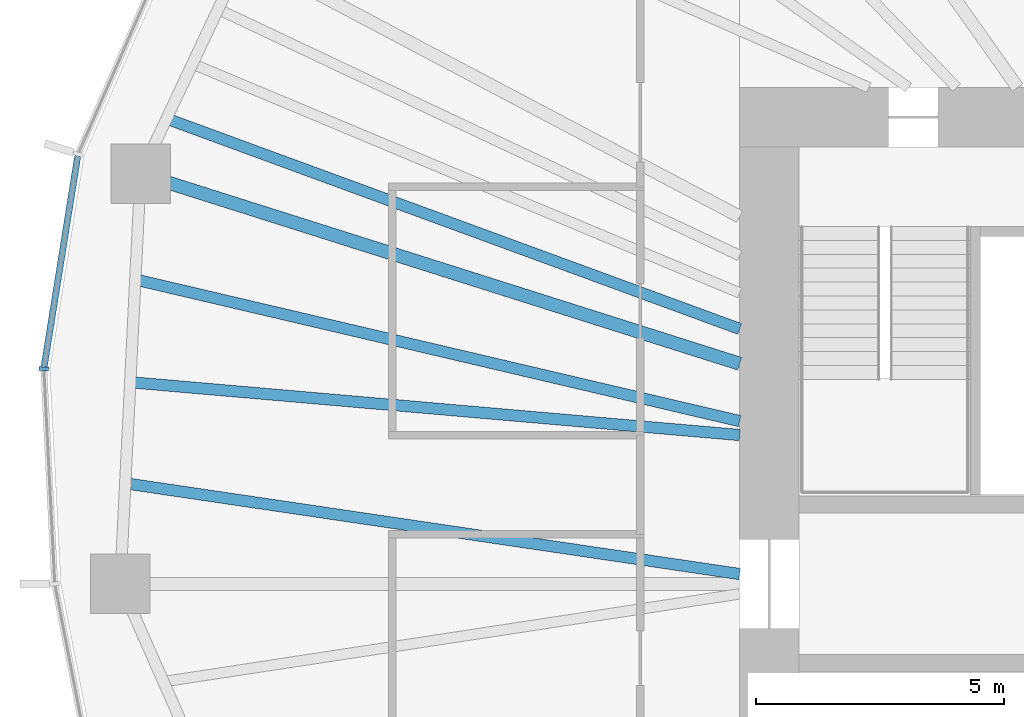
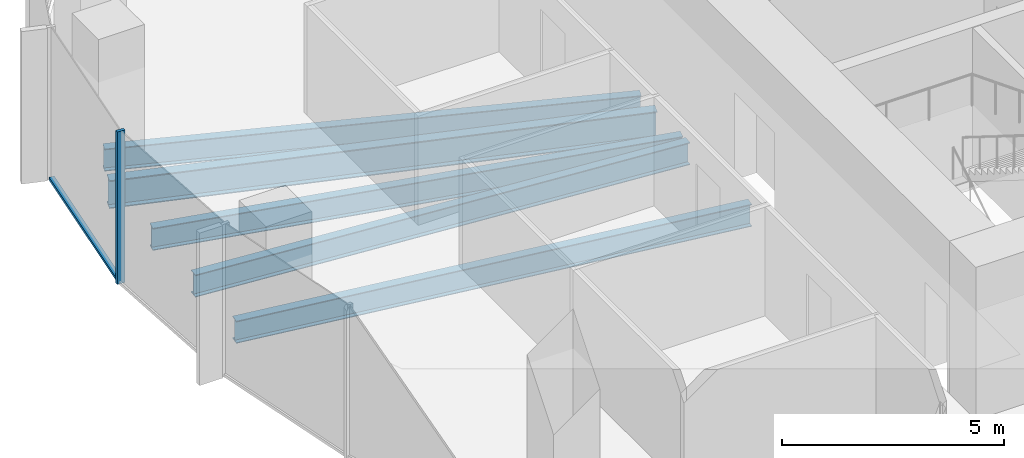
# One storey, part 3 of 12: 5 beams, 2 members, 1 element without a shape of its own.
"""IFC4 building model written with IfcOpenShell, lengths in metres."""

from ifc_helpers import new_model, si_unit, direction, frame, origin, origin_2d, place, context, subcontext, project, spatial, rectangle, i_section, extrude, material, material_profile, profile_set, type_object, element, aggregate, save


model = new_model("IFC4")

# Units and contexts
model_context = context("Model", 3, precision=1e-05, world=origin(), true_north=direction((0.0, 1.0)))
body_context = subcontext(model_context, "Body", "Model", "MODEL_VIEW")
ifc_project = project(units=[si_unit("LENGTHUNIT", "METRE"), si_unit("AREAUNIT", "SQUARE_METRE"), si_unit("VOLUMEUNIT", "CUBIC_METRE"), si_unit("PLANEANGLEUNIT", "RADIAN"), si_unit("MASSUNIT", "GRAM", prefix="KILO")], contexts=[model_context])

# Site, building, storey
site_placement = place(None, origin())
site = spatial("IfcSite", under=ifc_project, at=site_placement, CompositionType="ELEMENT")
building_placement = place(site_placement, origin())
building = spatial("IfcBuilding", under=site, at=building_placement, Name="Ghaith Harvest Tower", CompositionType="ELEMENT")
storey_placement = place(building_placement, frame((0.0, 0.0, 249.39990234375)))
storey = spatial("IfcBuildingStorey", under=building, at=storey_placement, Name="L55", CompositionType="ELEMENT", Elevation=249.39990234375)

# Curtain wall, members
ifc_material_1 = material(Name="Black anodised aluminium and fritted glass", Category="aluminium")
curtain_wall_type = type_object("IfcCurtainWallType", Name="CW-H CURTAIN WALL", PredefinedType="NOTDEFINED", material=ifc_material_1)
curtain_wall_placement = place(storey_placement, origin())
curtain_wall = element("IfcCurtainWall", 1, at=curtain_wall_placement, inside=storey, type_object=curtain_wall_type, Name="Curtain wall CW-H bay 10 L55", PredefinedType="NOTDEFINED")
ifc_material_2 = material(Name="Aluminium, black anodised", Category="aluminium")
ifc_material_profile_1 = material_profile(ifc_material_2, rectangle(XDim=0.080078125, YDim=0.199951171875, at=origin_2d()), Name="CW-H MULLION 80x200")
ifc_profile_set_1 = profile_set([ifc_material_profile_1], Name="Aluminium, black anodised")
member_type_1 = type_object("IfcMemberType", Name="CW-H MULLION 80x200", PredefinedType="MULLION", material=ifc_profile_set_1)
member_1_placement = place(storey_placement, frame((-28.015869140625, 4.333251953125, 0.0), z_axis=(0.0, 0.0, 1.0), x_axis=(-0.054116047044, -0.998534653105, 0.0)))
member_1 = element("IfcMember", 2, at=member_1_placement, type_object=member_type_1, Name="CW-H mullion 2 bay 10 L55", PredefinedType="MULLION", context=body_context, shape_type="SweptSolid", body=[
    extrude(rectangle(XDim=0.080078125, YDim=0.199951171875, at=origin_2d()), origin(), (0.0, 0.0, 1.0), 4.2001953125),
])
ifc_material_3 = material(Name="Aluminium, black anodised", Category="aluminium")
ifc_material_profile_2 = material_profile(ifc_material_3, rectangle(XDim=0.1298828125, YDim=0.080078125, at=origin_2d()), Name="CW-H TRANSOM 130x80")
ifc_profile_set_2 = profile_set([ifc_material_profile_2], Name="Aluminium, black anodised")
member_type_2 = type_object("IfcMemberType", Name="CW-H TRANSOM 130x80", PredefinedType="USERDEFINED", material=ifc_profile_set_2)
member_2_placement = place(storey_placement, frame((-27.33203125, 8.62060546875, 0.0400390625), z_axis=(-0.157492444441, -0.98752019217, 0.0), x_axis=(0.98752019217, -0.157492444441, 0.0)))
member_2 = element("IfcMember", 3, at=member_2_placement, type_object=member_type_2, Name="CW-H transom 1 bay 10 L55", ObjectType="TRANSOM", PredefinedType="USERDEFINED", context=body_context, shape_type="SweptSolid", body=[
    extrude(rectangle(XDim=0.1298828125, YDim=0.080078125, at=origin_2d()), origin(), (0.0, 0.0, 1.0), 4.3017578125),
])
aggregate(curtain_wall, [member_2, member_1])

# Beams
ifc_material_4 = material(Name="Steel ASTM A992 Grade 50", Category="steel")
ifc_material_profile_3 = material_profile(ifc_material_4, i_section(OverallWidth=0.26806640625, OverallDepth=0.77001953125, WebThickness=0.015625, FlangeThickness=0.025390625, at=origin_2d()), Name="W760X196")
ifc_profile_set_3 = profile_set([ifc_material_profile_3], Name="Steel ASTM A992 Grade 50")
beam_type_1 = type_object("IfcBeamType", Name="G760-196 W760X196", PredefinedType="BEAM", material=ifc_profile_set_3)
beam_1_placement = place(storey_placement, frame((-14.0, 4.43701171875, -0.554931640625), z_axis=(-0.953278738841, 0.302092115212, 0.0), x_axis=(-0.302092115212, -0.953278738841, 0.0)))
element("IfcBeam", 4, at=beam_1_placement, inside=storey, type_object=beam_type_1, Name="Radial girder G10 L55", PredefinedType="BEAM", context=body_context, shape_type="SweptSolid", body=[
    extrude(i_section(OverallWidth=0.26806640625, OverallDepth=0.77001953125, WebThickness=0.015625, FlangeThickness=0.025390625, at=origin_2d()), origin(), (0.0, 0.0, 1.0), 12.658203125),
])
ifc_material_5 = material(Name="Steel ASTM A992 Grade 50", Category="steel")
ifc_material_profile_4 = material_profile(ifc_material_5, i_section(OverallWidth=0.22900390625, OverallDepth=0.612060546875, WebThickness=0.011962890625, FlangeThickness=0.01953125, at=origin_2d()), Name="W610X125")
ifc_profile_set_4 = profile_set([ifc_material_profile_4], Name="Steel ASTM A992 Grade 50")
beam_type_2 = type_object("IfcBeamType", Name="J610-125 W610X125", PredefinedType="JOIST", material=ifc_profile_set_4)
beam_2_placement = place(storey_placement, frame((-14.0, 5.137939453125, -0.475830078125), z_axis=(-0.938775301049, 0.344530019216, 0.0), x_axis=(-0.344530019216, -0.938775301049, 0.0)))
element("IfcBeam", 5, at=beam_2_placement, inside=storey, type_object=beam_type_2, Name="Joist J09.3 L55", PredefinedType="JOIST", context=body_context, shape_type="SweptSolid", body=[
    extrude(i_section(OverallWidth=0.22900390625, OverallDepth=0.612060546875, WebThickness=0.011962890625, FlangeThickness=0.01953125, at=origin_2d()), origin(), (0.0, 0.0, 1.0), 12.295166015625),
])
beam_3_placement = place(storey_placement, frame((-14.0, 3.280517578125, -0.475830078125), z_axis=(-0.973621665777, 0.228168472691, 0.0), x_axis=(-0.228168472691, -0.973621665777, 0.0)))
element("IfcBeam", 6, at=beam_3_placement, inside=storey, type_object=beam_type_2, Name="Joist J10.1 L55", PredefinedType="JOIST", context=body_context, shape_type="SweptSolid", body=[
    extrude(i_section(OverallWidth=0.22900390625, OverallDepth=0.612060546875, WebThickness=0.011962890625, FlangeThickness=0.01953125, at=origin_2d()), origin(), (0.0, 0.0, 1.0), 12.501953125),
])
beam_4_placement = place(storey_placement, frame((-14.0, 3.0, -0.475830078125), z_axis=(-0.996265900996, 0.086338024716, 0.0), x_axis=(-0.086338024716, -0.996265900996, 0.0)))
element("IfcBeam", 7, at=beam_4_placement, inside=storey, type_object=beam_type_2, Name="Joist J10.2 L55", PredefinedType="JOIST", context=body_context, shape_type="SweptSolid", body=[
    extrude(i_section(OverallWidth=0.22900390625, OverallDepth=0.612060546875, WebThickness=0.011962890625, FlangeThickness=0.01953125, at=origin_2d()), origin(), (0.0, 0.0, 1.0), 12.3203125),
])
beam_5_placement = place(storey_placement, frame((-14.0, 0.199951171875, -0.475830078125), z_axis=(-0.989269378665, 0.146103033631, 0.0), x_axis=(-0.146103033631, -0.989269378665, 0.0)))
element("IfcBeam", 8, at=beam_5_placement, inside=storey, type_object=beam_type_2, Name="Joist J10.3 L55", PredefinedType="JOIST", context=body_context, shape_type="SweptSolid", body=[
    extrude(i_section(OverallWidth=0.22900390625, OverallDepth=0.612060546875, WebThickness=0.011962890625, FlangeThickness=0.01953125, at=origin_2d()), origin(), (0.0, 0.0, 1.0), 12.50927734375),
])

save(model, "model.ifc")
